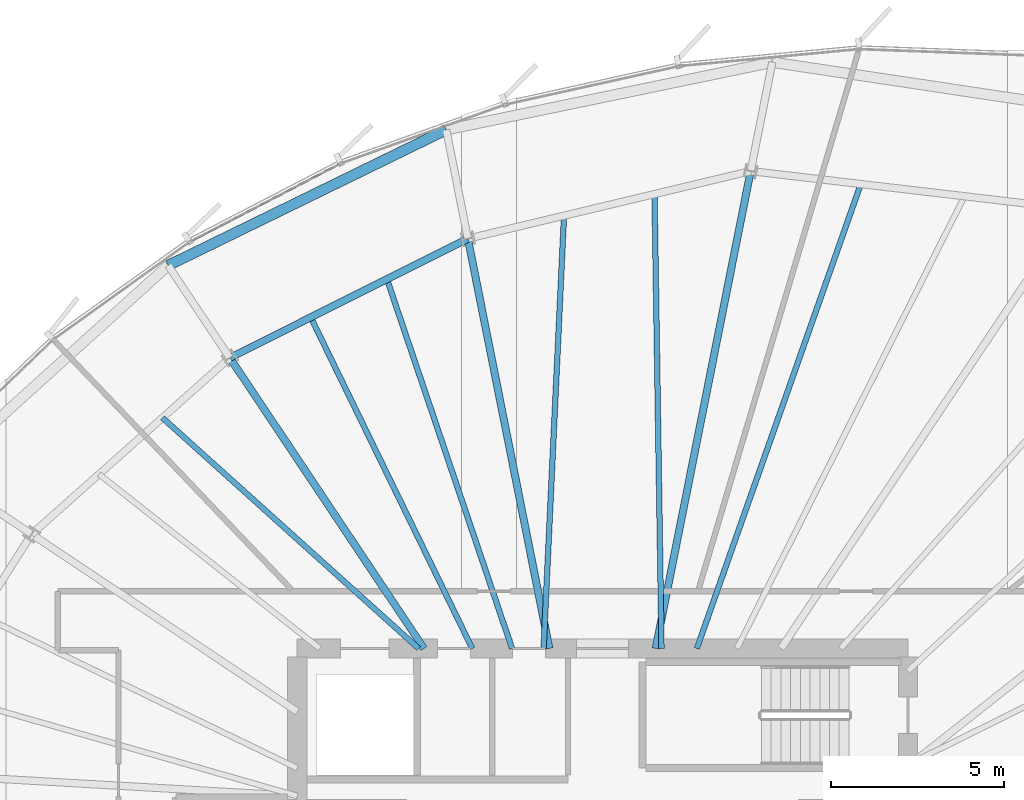
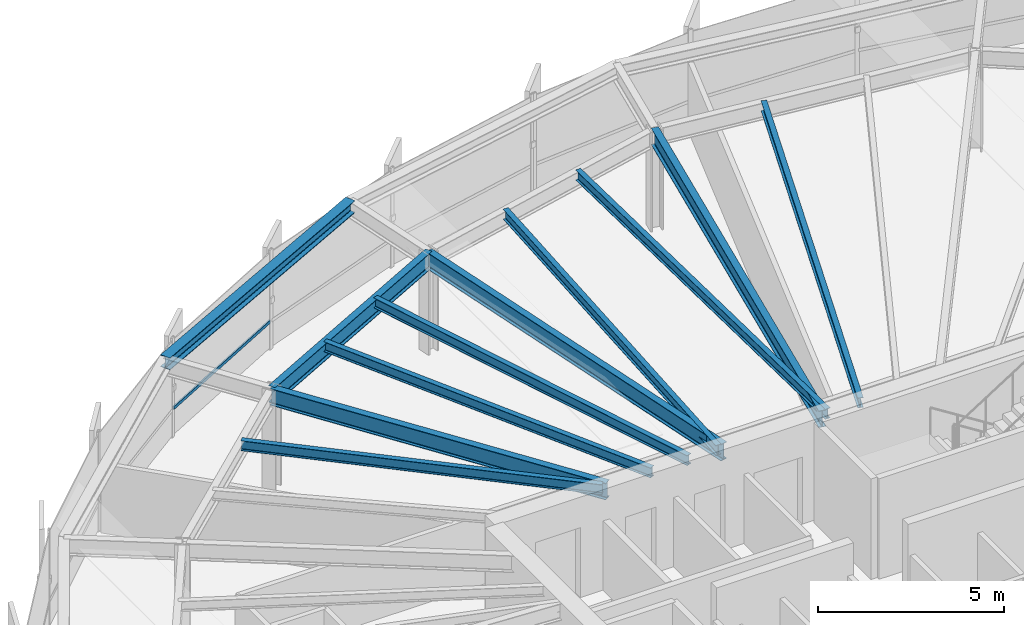
# One storey, part 20 of 32: 11 beams, 1 member, 1 element without a shape of its own.
"""IFC4 building model written with IfcOpenShell, lengths in metres."""

from ifc_helpers import new_model, si_unit, direction, frame, origin, origin_2d, place, context, subcontext, project, spatial, hollow_rectangle, i_section, extrude, source, transform, mapped, material, layer, layer_set, material_profile, profile_set, type_object, element, aggregate, save


model = new_model("IFC4")

# Units and contexts
model_context = context("Model", 3, precision=1e-05, world=origin(), true_north=direction((0.0, 1.0)))
body_context = subcontext(model_context, "Body", "Model", "MODEL_VIEW")
ifc_project = project(units=[si_unit("LENGTHUNIT", "METRE"), si_unit("AREAUNIT", "SQUARE_METRE"), si_unit("VOLUMEUNIT", "CUBIC_METRE"), si_unit("PLANEANGLEUNIT", "RADIAN"), si_unit("MASSUNIT", "GRAM", prefix="KILO"), si_unit("THERMODYNAMICTEMPERATUREUNIT", "KELVIN")], contexts=[model_context])

# Site, building, storey
site_placement = place(None, origin())
site = spatial("IfcSite", under=ifc_project, at=site_placement, CompositionType="ELEMENT")
building_placement = place(site_placement, origin())
building = spatial("IfcBuilding", under=site, at=building_placement, Name="Kethvar Cultural Tower", CompositionType="ELEMENT")
storey_placement = place(building_placement, frame((0.0, 0.0, 160.75)))
storey = spatial("IfcBuildingStorey", under=building, at=storey_placement, Name="L41", CompositionType="ELEMENT", Elevation=160.75)

# Beams
ifc_material_1 = material(Name="Steel S355J2", Category="steel")
ifc_material_profile_1 = material_profile(ifc_material_1, i_section(OverallWidth=0.2099609375, OverallDepth=0.550048828125, WebThickness=0.010986328125, FlangeThickness=0.01708984375, FilletRadius=0.02392578125, at=origin_2d()), Name="Steel S355J2 — IPE550")
ifc_profile_set_1 = profile_set([ifc_material_profile_1], Name="Steel S355J2 — IPE550")
beam_type_1 = type_object("IfcBeamType", Name="BM-IPE550", PredefinedType="BEAM", material=ifc_profile_set_1)
shared_shape_1 = source(origin(), body_context, "Body", "SweptSolid", [
    extrude(i_section(OverallWidth=0.2099609375, OverallDepth=0.550048828125, WebThickness=0.010986328125, FlangeThickness=0.01708984375, FilletRadius=0.02392578125, at=origin_2d()), origin(), (0.0, 0.0, 1.0), 14.02880859375),
])
beam_1_placement = place(storey_placement, frame((48.33154296875, 35.5, 3.02294921875), z_axis=(0.195101986683, 0.980782960085, 0.0), x_axis=(-0.980782960085, 0.195101986683, 0.0)))
element("IfcBeam", 1, at=beam_1_placement, inside=storey, type_object=beam_type_1, Name="L41 Primary Radial Beam RB-04", PredefinedType="BEAM", context=body_context, shape_type="MappedRepresentation", body=[
    mapped(shared_shape_1, transform((0.0, 0.0, 0.0), scale=1.0)),
])
shared_shape_2 = source(origin(), body_context, "Body", "SweptSolid", [
    extrude(i_section(OverallWidth=0.2099609375, OverallDepth=0.550048828125, WebThickness=0.010986328125, FlangeThickness=0.01708984375, FilletRadius=0.02392578125, at=origin_2d()), origin(), (0.0, 0.0, 1.0), 12.042724609375),
])
beam_2_placement = place(storey_placement, frame((45.268310546875, 35.5, 3.02294921875), z_axis=(-0.195086784047, 0.980785984142, 0.0), x_axis=(-0.980785984142, -0.195086784047, 0.0)))
element("IfcBeam", 2, at=beam_2_placement, inside=storey, type_object=beam_type_1, Name="L41 Primary Radial Beam RB-05", PredefinedType="BEAM", context=body_context, shape_type="MappedRepresentation", body=[
    mapped(shared_shape_2, transform((0.0, 0.0, 0.0), scale=1.0)),
])
shared_shape_3 = source(origin(), body_context, "Body", "SweptSolid", [
    extrude(i_section(OverallWidth=0.2099609375, OverallDepth=0.550048828125, WebThickness=0.010986328125, FlangeThickness=0.01708984375, FilletRadius=0.02392578125, at=origin_2d()), origin(), (0.0, 0.0, 1.0), 10.0751953125),
])
beam_3_placement = place(storey_placement, frame((41.655029296875, 35.5, 3.02294921875), z_axis=(-0.555566654614, 0.831472003305, 0.0), x_axis=(-0.831472003305, -0.555566654614, 0.0)))
element("IfcBeam", 3, at=beam_3_placement, inside=storey, type_object=beam_type_1, Name="L41 Primary Radial Beam RB-06", PredefinedType="BEAM", context=body_context, shape_type="MappedRepresentation", body=[
    mapped(shared_shape_3, transform((0.0, 0.0, 0.0), scale=1.0)),
])
ifc_material_profile_2 = material_profile(ifc_material_1, i_section(OverallWidth=0.159912109375, OverallDepth=0.330078125, WebThickness=0.007568359375, FlangeThickness=0.011474609375, FilletRadius=0.01806640625, at=origin_2d()), Name="Steel S355J2 — IPE330")
ifc_profile_set_2 = profile_set([ifc_material_profile_2], Name="Steel S355J2 — IPE330")
beam_type_2 = type_object("IfcBeamType", Name="BM-J330", PredefinedType="JOIST", material=ifc_profile_set_2)
shared_shape_4 = source(origin(), body_context, "Body", "SweptSolid", [
    extrude(i_section(OverallWidth=0.159912109375, OverallDepth=0.330078125, WebThickness=0.007568359375, FlangeThickness=0.011474609375, FilletRadius=0.01806640625, at=origin_2d()), origin(), (0.0, 0.0, 1.0), 14.1953125),
])
beam_4_placement = place(storey_placement, frame((49.517822265625, 35.5, 3.133056640625), z_axis=(0.332865098769, 0.942974456717, 0.0), x_axis=(-0.942974456717, 0.332865098769, 0.0)))
element("IfcBeam", 4, at=beam_4_placement, inside=storey, type_object=beam_type_2, Name="L41 Composite Floor Joist J-03B", PredefinedType="JOIST", context=body_context, shape_type="MappedRepresentation", body=[
    mapped(shared_shape_4, transform((0.0, 0.0, 0.0), scale=1.0)),
])
shared_shape_5 = source(origin(), body_context, "Body", "SweptSolid", [
    extrude(i_section(OverallWidth=0.159912109375, OverallDepth=0.330078125, WebThickness=0.007568359375, FlangeThickness=0.011474609375, FilletRadius=0.01806640625, at=origin_2d()), origin(), (0.0, 0.0, 1.0), 13.098388671875),
])
beam_5_placement = place(storey_placement, frame((48.5, 35.5, 3.133056640625), z_axis=(-0.015451599057, 0.999880616917, 0.0), x_axis=(-0.999880616917, -0.015451599057, 0.0)))
element("IfcBeam", 5, at=beam_5_placement, inside=storey, type_object=beam_type_2, Name="L41 Composite Floor Joist J-04A", PredefinedType="JOIST", context=body_context, shape_type="MappedRepresentation", body=[
    mapped(shared_shape_5, transform((0.0, 0.0, 0.0), scale=1.0)),
])
shared_shape_6 = source(origin(), body_context, "Body", "SweptSolid", [
    extrude(i_section(OverallWidth=0.159912109375, OverallDepth=0.330078125, WebThickness=0.007568359375, FlangeThickness=0.011474609375, FilletRadius=0.01806640625, at=origin_2d()), origin(), (0.0, 0.0, 1.0), 12.487548828125),
])
beam_6_placement = place(storey_placement, frame((45.10009765625, 35.5, 3.133056640625), z_axis=(0.047214958818, 0.998884751943, 0.0), x_axis=(-0.998884751943, 0.047214958818, 0.0)))
element("IfcBeam", 6, at=beam_6_placement, inside=storey, type_object=beam_type_2, Name="L41 Composite Floor Joist J-04B", PredefinedType="JOIST", context=body_context, shape_type="MappedRepresentation", body=[
    mapped(shared_shape_6, transform((0.0, 0.0, 0.0), scale=1.0)),
])
shared_shape_7 = source(origin(), body_context, "Body", "SweptSolid", [
    extrude(i_section(OverallWidth=0.2099609375, OverallDepth=0.550048828125, WebThickness=0.010986328125, FlangeThickness=0.01708984375, FilletRadius=0.02392578125, at=origin_2d()), origin(), (0.0, 0.0, 1.0), 7.672607421875),
])
beam_7_placement = place(storey_placement, frame((42.9189453125, 47.311279296875, 3.02294921875), z_axis=(-0.894248932057, -0.447569935892, 0.0), x_axis=(0.447569935892, -0.894248932057, 0.0)))
element("IfcBeam", 7, at=beam_7_placement, inside=storey, type_object=beam_type_1, Name="L41 Column Ring Tie Beam CR-05", PredefinedType="BEAM", context=body_context, shape_type="MappedRepresentation", body=[
    mapped(shared_shape_7, transform((0.0, 0.0, 0.0), scale=1.0)),
])
shared_shape_8 = source(origin(), body_context, "Body", "SweptSolid", [
    extrude(i_section(OverallWidth=0.159912109375, OverallDepth=0.330078125, WebThickness=0.007568359375, FlangeThickness=0.011474609375, FilletRadius=0.01806640625, at=origin_2d()), origin(), (0.0, 0.0, 1.0), 11.23779296875),
])
beam_8_placement = place(storey_placement, frame((44.191650390625, 35.5, 3.133056640625), z_axis=(-0.32083186626, 0.94713616423, 0.0), x_axis=(-0.94713616423, -0.32083186626, 0.0)))
element("IfcBeam", 8, at=beam_8_placement, inside=storey, type_object=beam_type_2, Name="L41 Composite Floor Joist J-05A", PredefinedType="JOIST", context=body_context, shape_type="MappedRepresentation", body=[
    mapped(shared_shape_8, transform((0.0, 0.0, 0.0), scale=1.0)),
])
shared_shape_9 = source(origin(), body_context, "Body", "SweptSolid", [
    extrude(i_section(OverallWidth=0.159912109375, OverallDepth=0.330078125, WebThickness=0.007568359375, FlangeThickness=0.011474609375, FilletRadius=0.01806640625, at=origin_2d()), origin(), (0.0, 0.0, 1.0), 10.619384765625),
])
beam_9_placement = place(storey_placement, frame((43.044921875, 35.5, 3.133056640625), z_axis=(-0.438308125028, 0.898824781331, 0.0), x_axis=(-0.898824781331, -0.438308125028, 0.0)))
element("IfcBeam", 9, at=beam_9_placement, inside=storey, type_object=beam_type_2, Name="L41 Composite Floor Joist J-05B", PredefinedType="JOIST", context=body_context, shape_type="MappedRepresentation", body=[
    mapped(shared_shape_9, transform((0.0, 0.0, 0.0), scale=1.0)),
])
shared_shape_10 = source(origin(), body_context, "Body", "SweptSolid", [
    extrude(i_section(OverallWidth=0.159912109375, OverallDepth=0.330078125, WebThickness=0.007568359375, FlangeThickness=0.011474609375, FilletRadius=0.01806640625, at=origin_2d()), origin(), (0.0, 0.0, 1.0), 9.93701171875),
])
beam_10_placement = place(storey_placement, frame((41.5, 35.5, 3.133056640625), z_axis=(-0.743138974967, 0.669137103952, 0.0), x_axis=(-0.669137103952, -0.743138974967, 0.0)))
element("IfcBeam", 10, at=beam_10_placement, inside=storey, type_object=beam_type_2, Name="L41 Composite Floor Joist J-06A", PredefinedType="JOIST", context=body_context, shape_type="MappedRepresentation", body=[
    mapped(shared_shape_10, transform((0.0, 0.0, 0.0), scale=1.0)),
])
ifc_material_profile_3 = material_profile(ifc_material_1, i_section(OverallWidth=0.300048828125, OverallDepth=0.39990234375, WebThickness=0.013427734375, FlangeThickness=0.02392578125, FilletRadius=0.027099609375, at=origin_2d()), Name="Steel S355J2 — HEB400")
ifc_profile_set_3 = profile_set([ifc_material_profile_3], Name="Steel S355J2 — HEB400")
beam_type_3 = type_object("IfcBeamType", Name="BM-SP400", PredefinedType="SPANDREL", material=ifc_profile_set_3)
shared_shape_11 = source(origin(), body_context, "Body", "SweptSolid", [
    extrude(i_section(OverallWidth=0.300048828125, OverallDepth=0.39990234375, WebThickness=0.013427734375, FlangeThickness=0.02392578125, FilletRadius=0.027099609375, at=origin_2d()), origin(), (0.0, 0.0, 1.0), 8.91845703125),
])
beam_11_placement = place(storey_placement, frame((42.294677734375, 50.44970703125, 3.097900390625), z_axis=(-0.898683713341, -0.438597290662, 0.0), x_axis=(0.438597290662, -0.898683713341, 0.0)))
element("IfcBeam", 11, at=beam_11_placement, inside=storey, type_object=beam_type_3, Name="L41 Perimeter Spandrel Beam SP-05", PredefinedType="SPANDREL", context=body_context, shape_type="MappedRepresentation", body=[
    mapped(shared_shape_11, transform((0.0, 0.0, 0.0), scale=1.0)),
])

# Curtain wall, member
ifc_material_2 = material(Name="Aluminium 6063-T6", Category="aluminium")
ifc_layer = layer(ifc_material_2, 0.179931640625, Name="Aluminium 6063-T6", Category="aluminium")
ifc_layer_set = layer_set([ifc_layer], Name="Aluminium 6063-T6 (180 mm)")
curtain_wall_type = type_object("IfcCurtainWallType", Name="CW-SYS-04-Z34", PredefinedType="NOTDEFINED", material=ifc_layer_set)
curtain_wall_placement = place(storey_placement, origin())
curtain_wall = element("IfcCurtainWall", 12, at=curtain_wall_placement, inside=storey, type_object=curtain_wall_type, Name="L41 Curtain Wall Run 02", PredefinedType="NOTDEFINED")
ifc_material_profile_4 = material_profile(ifc_material_2, hollow_rectangle(XDim=0.050048828125, YDim=0.10009765625, WallThickness=0.00390625, at=origin_2d()), Name="Aluminium 6063-T6 — RHS100x50x4")
ifc_profile_set_4 = profile_set([ifc_material_profile_4], Name="Aluminium 6063-T6 — RHS100x50x4")
member_type = type_object("IfcMemberType", Name="CW-SYS-04-Z34-TRN", PredefinedType="USERDEFINED", material=ifc_profile_set_4)
shared_shape_12 = source(origin(), body_context, "Body", "SweptSolid", [
    extrude(hollow_rectangle(XDim=0.050048828125, YDim=0.10009765625, WallThickness=0.00390625, at=origin_2d()), origin(), (0.0, 0.0, 1.0), 4.828857421875),
])
member_placement = place(storey_placement, frame((39.217041015625, 49.460693359375, 0.949951171875), z_axis=(-0.887487328845, -0.460832118174, 0.0), x_axis=(0.460832118174, -0.887487328845, 0.0)))
member = element("IfcMember", 13, at=member_placement, type_object=member_type, Name="CW-L41-R02 Transom 3", ObjectType="TRANSOM", PredefinedType="USERDEFINED", context=body_context, shape_type="MappedRepresentation", body=[
    mapped(shared_shape_12, transform((0.0, 0.0, 0.0), scale=1.0)),
])
aggregate(curtain_wall, [member])

save(model, "model.ifc")
